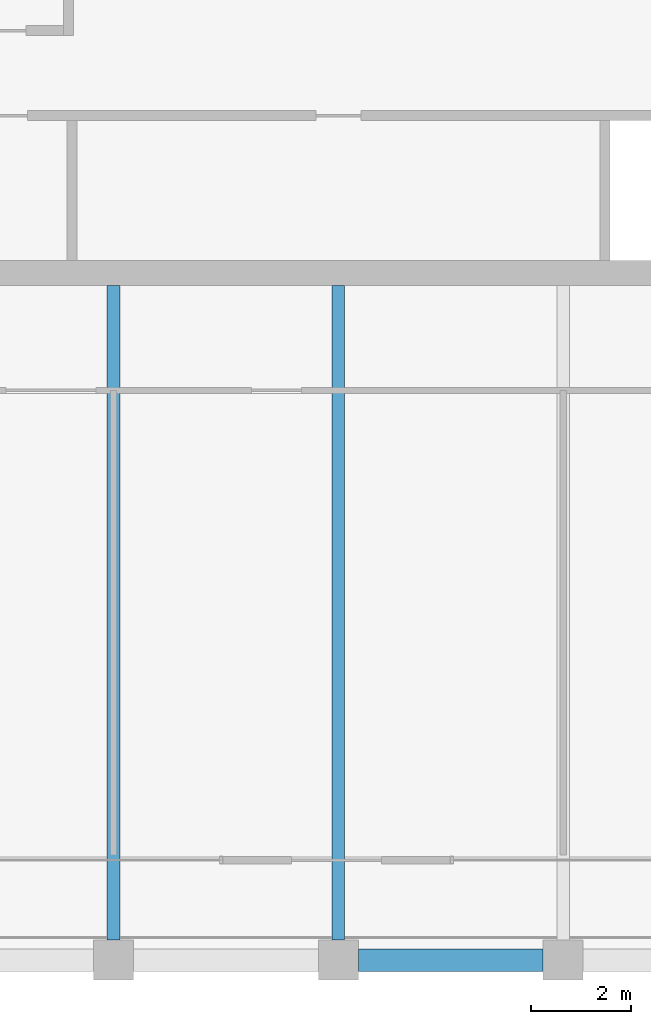
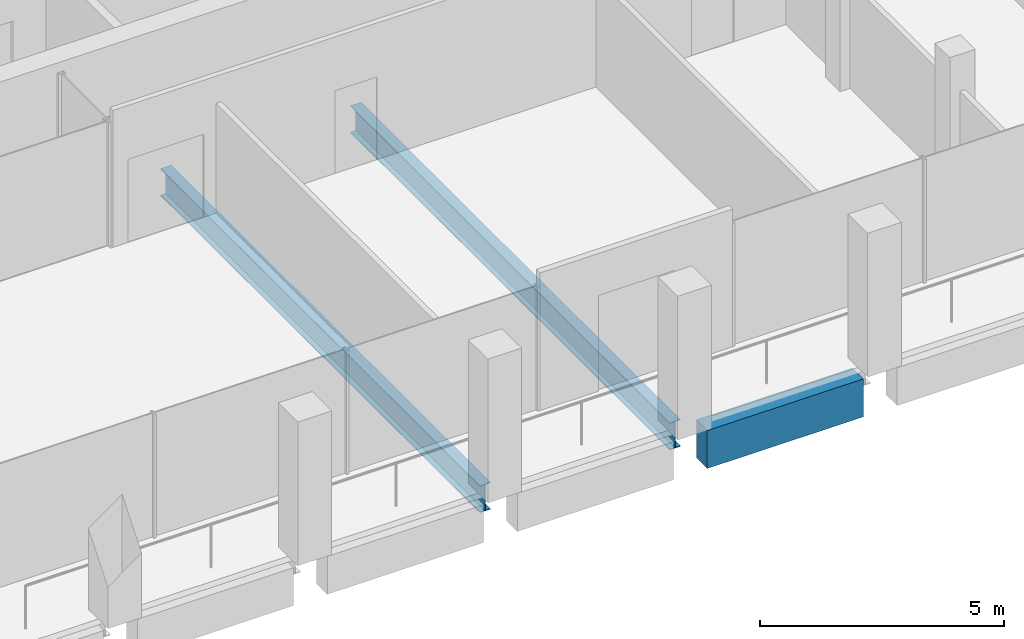
# One storey, part 8 of 30: 3 beams.
"""IFC4 building model written with IfcOpenShell, lengths in metres."""

from ifc_helpers import new_model, si_unit, direction, frame, origin, origin_2d, place, context, subcontext, project, spatial, rectangle, i_section, extrude, material, material_profile, profile_set, type_object, element, save


model = new_model("IFC4")

# Units and contexts
model_context = context("Model", 3, precision=1e-05, world=origin(), true_north=direction((0.0, 1.0)))
body_context = subcontext(model_context, "Body", "Model", "MODEL_VIEW")
ifc_project = project(units=[si_unit("LENGTHUNIT", "METRE"), si_unit("AREAUNIT", "SQUARE_METRE"), si_unit("VOLUMEUNIT", "CUBIC_METRE"), si_unit("PLANEANGLEUNIT", "RADIAN"), si_unit("MASSUNIT", "GRAM", prefix="KILO")], contexts=[model_context])

# Site, building, storey
site_placement = place(None, origin())
site = spatial("IfcSite", under=ifc_project, at=site_placement, CompositionType="ELEMENT")
building_placement = place(site_placement, origin())
building = spatial("IfcBuilding", under=site, at=building_placement, Name="Altepetl Exchange Towers", CompositionType="ELEMENT")
storey_placement = place(building_placement, frame((0.0, 0.0, 217.199951171875)))
storey = spatial("IfcBuildingStorey", under=building, at=storey_placement, Name="L55", CompositionType="ELEMENT", Elevation=217.199951171875)

# Beams
ifc_material_1 = material(Name="Steel S355", Category="steel")
ifc_material_profile_1 = material_profile(ifc_material_1, i_section(OverallWidth=0.2529296875, OverallDepth=0.677978515625, WebThickness=0.01171875, FlangeThickness=0.016357421875, at=origin_2d()), Name="W27X84")
ifc_profile_set_1 = profile_set([ifc_material_profile_1], Name="Steel S355")
beam_type_1 = type_object("IfcBeamType", Name="Floor beam W27X84", PredefinedType="BEAM", material=ifc_profile_set_1)
for number, where, z_axis, x_axis, name in (
    (1, (45.0, 27.39990234375, -0.489013671875), (0.0, 1.0, 0.0), (-1.0, 0.0, 0.0), "bm:A:L55:015"),
    (2, (49.5, 27.39990234375, -0.489013671875), (0.0, 1.0, 0.0), (-1.0, 0.0, 0.0), "bm:A:L55:016"),
):
    element("IfcBeam", number, at=place(storey_placement, frame(where, z_axis=z_axis, x_axis=x_axis)), inside=storey, type_object=beam_type_1, Name=name, PredefinedType="BEAM", context=body_context, shape_type="SweptSolid", body=[
        extrude(i_section(OverallWidth=0.2529296875, OverallDepth=0.677978515625, WebThickness=0.01171875, FlangeThickness=0.016357421875, at=origin_2d()), origin(), (0.0, 0.0, 1.0), 13.10009765625),
    ])
ifc_material_2 = material(Name="Concrete C50/60 precast with cantera blanca facing", Category="concrete")
ifc_material_profile_2 = material_profile(ifc_material_2, rectangle(XDim=0.449951171875, YDim=0.949951171875, at=origin_2d()), Name="450 x 950")
ifc_profile_set_2 = profile_set([ifc_material_profile_2], Name="Concrete C50/60 precast with cantera blanca facing")
beam_type_2 = type_object("IfcBeamType", Name="Spandrel beam 450x950 cantera blanca", PredefinedType="SPANDREL", material=ifc_profile_set_2)
beam_placement = place(storey_placement, frame((49.89990234375, 27.0, -0.625), z_axis=(1.0, 0.0, 0.0), x_axis=(0.0, 1.0, 0.0)))
element("IfcBeam", 3, at=beam_placement, inside=storey, type_object=beam_type_2, Name="sp:A:L55:004", PredefinedType="SPANDREL", context=body_context, shape_type="SweptSolid", body=[
    extrude(rectangle(XDim=0.449951171875, YDim=0.949951171875, at=origin_2d()), origin(), (0.0, 0.0, 1.0), 3.7001953125),
])

save(model, "model.ifc")
